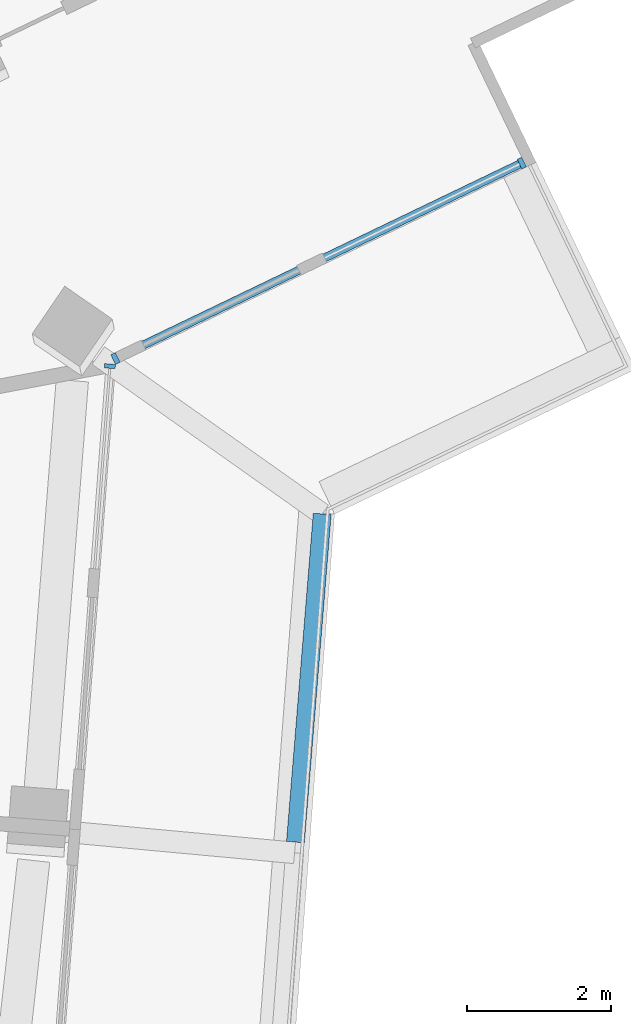
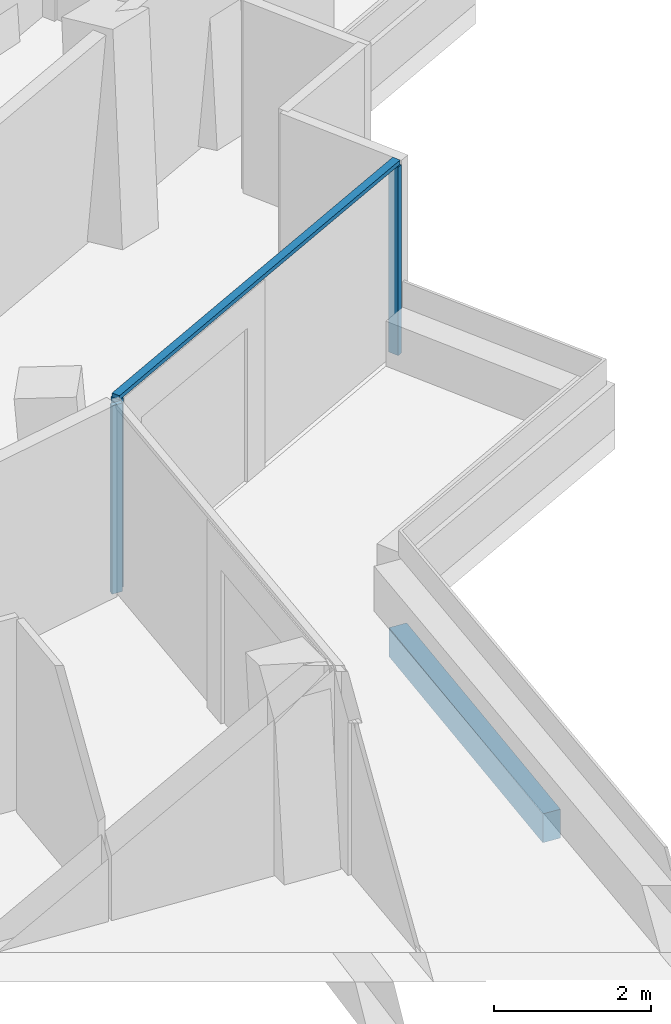
# One storey, part 8 of 23: 4 members, 1 beam, 2 elements without a shape of their own.
"""IFC4 building model written with IfcOpenShell, lengths in metres."""

from ifc_helpers import new_model, si_unit, direction, frame, origin, origin_2d, place, context, subcontext, project, spatial, rectangle, extrude, material, layer, layer_set, material_profile, profile_set, type_object, element, aggregate, save


model = new_model("IFC4")

# Units and contexts
model_context = context("Model", 3, precision=1e-05, world=origin(), true_north=direction((0.0, 1.0)))
body_context = subcontext(model_context, "Body", "Model", "MODEL_VIEW")
ifc_project = project(units=[si_unit("LENGTHUNIT", "METRE"), si_unit("AREAUNIT", "SQUARE_METRE"), si_unit("VOLUMEUNIT", "CUBIC_METRE"), si_unit("PLANEANGLEUNIT", "RADIAN"), si_unit("MASSUNIT", "GRAM", prefix="KILO")], contexts=[model_context])

# Site, building, storey
site_placement = place(None, origin())
site = spatial("IfcSite", under=ifc_project, at=site_placement, CompositionType="ELEMENT")
building_placement = place(site_placement, origin())
building = spatial("IfcBuilding", under=site, at=building_placement, Name="Verdalira Terraces Hotel", CompositionType="ELEMENT")
storey_placement = place(building_placement, frame((0.0, 0.0, 259.5)))
storey = spatial("IfcBuildingStorey", under=building, at=storey_placement, Name="L64", CompositionType="ELEMENT", Elevation=259.5)

# Beam
ifc_material_1 = material(Name="Concrete C40", Category="concrete")
ifc_material_profile_1 = material_profile(ifc_material_1, rectangle(XDim=0.25, YDim=0.449951, at=origin_2d()), Name="RC 250X450")
ifc_profile_set_1 = profile_set([ifc_material_profile_1], Name="Concrete C40")
beam_type = type_object("IfcBeamType", Name="Balcony edge beam RC 250X450 C40", PredefinedType="BEAM", material=ifc_profile_set_1)
beam_placement = place(storey_placement, frame((27.185791, -1.998779, -0.534912), z_axis=(0.081349058, 0.996685673, 0.0), x_axis=(-0.996685673, 0.081349058, 0.0)))
element("IfcBeam", 1, at=beam_placement, inside=storey, type_object=beam_type, Name="Balcony edge beam R27-2", PredefinedType="BEAM", context=body_context, shape_type="SweptSolid", body=[
    extrude(rectangle(XDim=0.25, YDim=0.449951, at=origin_2d()), origin(), (0.0, 0.0, 1.0), 4.585693),
])

# Curtain wall, member
ifc_material_2 = material(Name="Clear glass", Category="glass")
ifc_layer_1 = layer(ifc_material_2, 0.14990234375)
ifc_layer_set_1 = layer_set([ifc_layer_1], Name="CW1 curtain wall")
curtain_wall_type_1 = type_object("IfcCurtainWallType", Name="CW1 curtain wall", PredefinedType="NOTDEFINED", material=ifc_layer_set_1)
curtain_wall_1_placement = place(storey_placement, origin())
curtain_wall_1 = element("IfcCurtainWall", 2, at=curtain_wall_1_placement, inside=storey, type_object=curtain_wall_type_1, Name="CW1 curtain wall L64 edge 27", PredefinedType="NOTDEFINED")
ifc_material_3 = material(Name="Terracotta frame", Category="masonry")
ifc_material_profile_2 = material_profile(ifc_material_3, rectangle(XDim=0.060059, YDim=0.149902, at=origin_2d()), Name="MU 60x150")
ifc_profile_set_2 = profile_set([ifc_material_profile_2], Name="Terracotta frame")
member_type_1 = type_object("IfcMemberType", Name="CW1 mullion 60x150", PredefinedType="MULLION", material=ifc_profile_set_2)
member_1_placement = place(storey_placement, frame((24.602051, 4.629883, 0.0), z_axis=(0.0, 0.0, 1.0), x_axis=(0.075326806, 0.9971589, 0.0)))
member_1 = element("IfcMember", 3, at=member_1_placement, type_object=member_type_1, Name="CW1 mullion", PredefinedType="MULLION", context=body_context, shape_type="SweptSolid", body=[
    extrude(rectangle(XDim=0.060059, YDim=0.149902, at=origin_2d()), origin(), (0.0, 0.0, 1.0), 2.935059),
])
aggregate(curtain_wall_1, [member_1])

# Curtain wall, members
ifc_material_4 = material(Name="Clear glass", Category="glass")
ifc_layer_2 = layer(ifc_material_4, 0.14990234375)
ifc_layer_set_2 = layer_set([ifc_layer_2], Name="CW2 curtain wall")
curtain_wall_type_2 = type_object("IfcCurtainWallType", Name="CW2 curtain wall", PredefinedType="NOTDEFINED", material=ifc_layer_set_2)
curtain_wall_2_placement = place(storey_placement, origin())
curtain_wall_2 = element("IfcCurtainWall", 4, at=curtain_wall_2_placement, inside=storey, type_object=curtain_wall_type_2, Name="CW2 curtain wall L64 edge 28", PredefinedType="NOTDEFINED")
ifc_material_5 = material(Name="Terracotta frame", Category="masonry")
ifc_material_profile_3 = material_profile(ifc_material_5, rectangle(XDim=0.070068, YDim=0.149902, at=origin_2d()), Name="MU 70x150")
ifc_profile_set_3 = profile_set([ifc_material_profile_3], Name="Terracotta frame")
member_type_2 = type_object("IfcMemberType", Name="CW2 mullion 70x150", PredefinedType="MULLION", material=ifc_profile_set_3)
member_2_placement = place(storey_placement, frame((24.677979, 4.737061, 0.0), z_axis=(0.0, 0.0, 1.0), x_axis=(0.901228342, 0.433344523, 0.0)))
member_2 = element("IfcMember", 5, at=member_2_placement, type_object=member_type_2, Name="CW2 mullion", PredefinedType="MULLION", context=body_context, shape_type="SweptSolid", body=[
    extrude(rectangle(XDim=0.070068, YDim=0.149902, at=origin_2d()), origin(), (0.0, 0.0, 1.0), 2.935059),
])
member_3_placement = place(storey_placement, frame((30.337646, 7.458252, 0.0), z_axis=(0.0, 0.0, 1.0), x_axis=(0.901228342, 0.433344523, 0.0)))
member_3 = element("IfcMember", 6, at=member_3_placement, type_object=member_type_2, Name="CW2 mullion", PredefinedType="MULLION", context=body_context, shape_type="SweptSolid", body=[
    extrude(rectangle(XDim=0.070068, YDim=0.149902, at=origin_2d()), origin(), (0.0, 0.0, 1.0), 2.935059),
])
ifc_material_6 = material(Name="Terracotta frame", Category="masonry")
ifc_material_profile_4 = material_profile(ifc_material_6, rectangle(XDim=0.11499, YDim=0.064941, at=origin_2d()), Name="TR 65x115")
ifc_profile_set_4 = profile_set([ifc_material_profile_4], Name="Terracotta frame")
member_type_3 = type_object("IfcMemberType", Name="CW2 transom 65x115", PredefinedType="USERDEFINED", material=ifc_profile_set_4)
member_4_placement = place(storey_placement, frame((24.646484, 4.721924, 2.967529), z_axis=(0.901240875, 0.433318458, 0.0), x_axis=(-0.433318458, 0.901240875, 0.0)))
member_4 = element("IfcMember", 7, at=member_4_placement, type_object=member_type_3, Name="CW2 transom", ObjectType="TRANSOM", PredefinedType="USERDEFINED", context=body_context, shape_type="SweptSolid", body=[
    extrude(rectangle(XDim=0.11499, YDim=0.064941, at=origin_2d()), origin(), (0.0, 0.0, 1.0), 6.349854),
])
aggregate(curtain_wall_2, [member_2, member_3, member_4])

save(model, "model.ifc")
